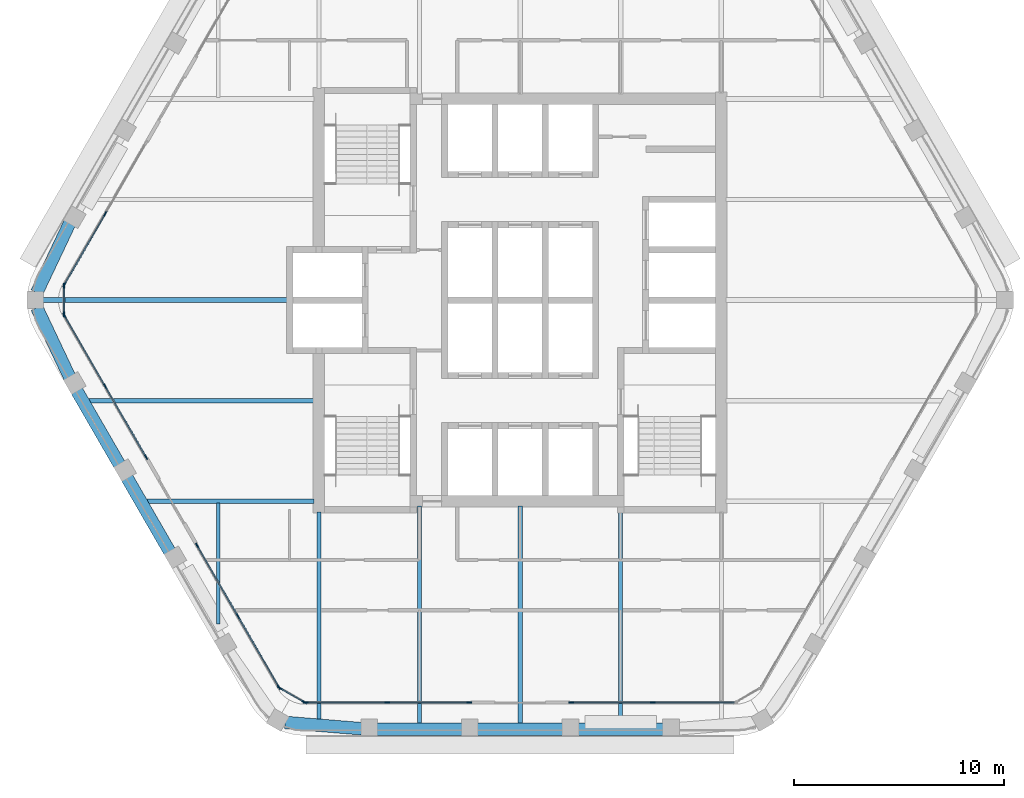
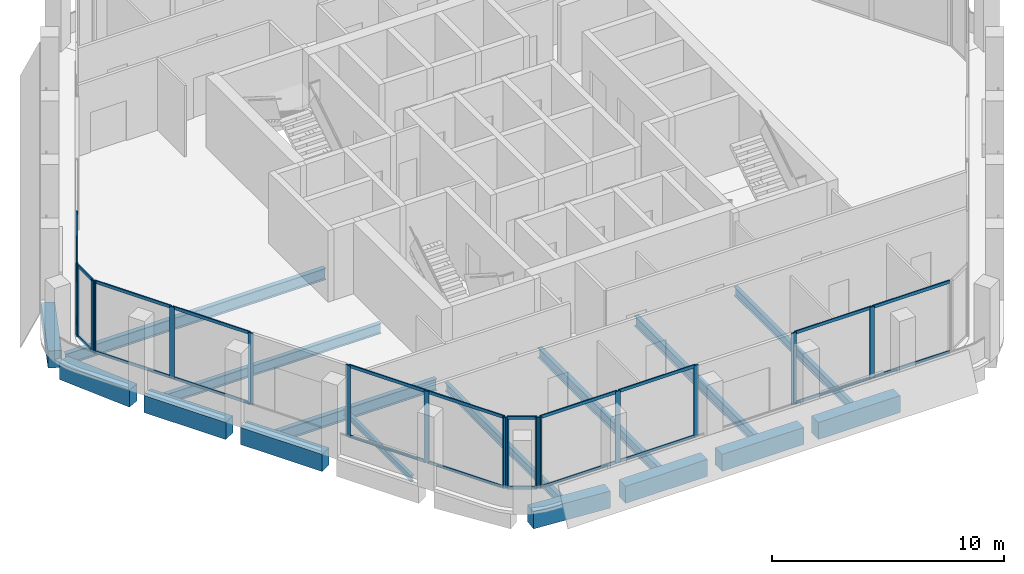
# One storey, part 2 of 14: 39 members, 16 beams, 7 elements without a shape of their own.
"""IFC4 building model written with IfcOpenShell, lengths in metres."""

from ifc_helpers import new_model, si_unit, direction, frame, origin, origin_2d, place, context, subcontext, project, spatial, rectangle, i_section, extrude, material, material_profile, profile_set, type_object, element, aggregate, save


model = new_model("IFC4")

# Units and contexts
model_context = context("Model", 3, precision=1e-05, world=origin(), true_north=direction((0.0, 1.0)))
body_context = subcontext(model_context, "Body", "Model", "MODEL_VIEW")
ifc_project = project(units=[si_unit("LENGTHUNIT", "METRE"), si_unit("AREAUNIT", "SQUARE_METRE"), si_unit("VOLUMEUNIT", "CUBIC_METRE"), si_unit("PLANEANGLEUNIT", "RADIAN"), si_unit("MASSUNIT", "GRAM", prefix="KILO")], contexts=[model_context])

# Site, building, storey
site_placement = place(None, origin())
site = spatial("IfcSite", under=ifc_project, at=site_placement, CompositionType="ELEMENT")
building_placement = place(site_placement, origin())
building = spatial("IfcBuilding", under=site, at=building_placement, Name="Kolab Exchange Tower", CompositionType="ELEMENT")
storey_placement = place(building_placement, frame((0.0, 0.0, 246.199951171875)))
storey = spatial("IfcBuildingStorey", under=building, at=storey_placement, Name="L54", CompositionType="ELEMENT", Elevation=246.199951171875)

# Beams
ifc_material_1 = material(Name="Steel S355", Category="steel")
ifc_material_profile_1 = material_profile(ifc_material_1, i_section(OverallWidth=0.1650390625, OverallDepth=0.31005859375, WebThickness=0.005859375, FlangeThickness=0.009765625, at=origin_2d()), Name="W310X39")
ifc_profile_set_1 = profile_set([ifc_material_profile_1], Name="Steel S355")
beam_type_1 = type_object("IfcBeamType", Name="FLOOR BEAM W310X39", PredefinedType="BEAM", material=ifc_profile_set_1)
beam_1_placement = place(storey_placement, frame((-14.39990234375, -15.4677734375, -0.304931640625), z_axis=(0.0, 1.0, 0.0), x_axis=(-1.0, 0.0, 0.0)))
element("IfcBeam", 1, at=beam_1_placement, inside=storey, type_object=beam_type_1, Name="beam/L54/fr/003", PredefinedType="BEAM", context=body_context, shape_type="SweptSolid", body=[
    extrude(i_section(OverallWidth=0.1650390625, OverallDepth=0.31005859375, WebThickness=0.005859375, FlangeThickness=0.009765625, at=origin_2d()), origin(), (0.0, 0.0, 1.0), 5.793701171875),
])
ifc_material_profile_2 = material_profile(ifc_material_1, i_section(OverallWidth=0.18994140625, OverallDepth=0.45703125, WebThickness=0.009033203125, FlangeThickness=0.014404296875, at=origin_2d()), Name="W460X74")
ifc_profile_set_2 = profile_set([ifc_material_profile_2], Name="Steel S355")
beam_type_2 = type_object("IfcBeamType", Name="FLOOR BEAM W460X74", PredefinedType="BEAM", material=ifc_profile_set_2)
beam_2_placement = place(storey_placement, frame((-9.60009765625, -20.027099609375, -0.37841796875), z_axis=(0.0, 1.0, 0.0), x_axis=(-1.0, 0.0, 0.0)))
element("IfcBeam", 2, at=beam_2_placement, inside=storey, type_object=beam_type_2, Name="beam/L54/fr/005", PredefinedType="BEAM", context=body_context, shape_type="SweptSolid", body=[
    extrude(i_section(OverallWidth=0.18994140625, OverallDepth=0.45703125, WebThickness=0.009033203125, FlangeThickness=0.014404296875, at=origin_2d()), origin(), (0.0, 0.0, 1.0), 9.9169921875),
])
beam_3_placement = place(storey_placement, frame((4.800048828125, -20.224609375, -0.37841796875), z_axis=(0.0, 1.0, 0.0), x_axis=(-1.0, 0.0, 0.0)))
element("IfcBeam", 3, at=beam_3_placement, inside=storey, type_object=beam_type_2, Name="beam/L54/fr/011", PredefinedType="BEAM", context=body_context, shape_type="SweptSolid", body=[
    extrude(i_section(OverallWidth=0.18994140625, OverallDepth=0.45703125, WebThickness=0.009033203125, FlangeThickness=0.014404296875, at=origin_2d()), origin(), (0.0, 0.0, 1.0), 10.114501953125),
])
ifc_material_profile_3 = material_profile(ifc_material_1, i_section(OverallWidth=0.208984375, OverallDepth=0.532958984375, WebThickness=0.01025390625, FlangeThickness=0.015625, at=origin_2d()), Name="W530X92")
ifc_profile_set_3 = profile_set([ifc_material_profile_3], Name="Steel S355")
beam_type_3 = type_object("IfcBeamType", Name="FLOOR BEAM W530X92", PredefinedType="BEAM", material=ifc_profile_set_3)
beam_4_placement = place(storey_placement, frame((-20.575927734375, -4.800048828125, -0.41650390625), z_axis=(1.0, 0.0, 0.0), x_axis=(0.0, 1.0, 0.0)))
element("IfcBeam", 4, at=beam_4_placement, inside=storey, type_object=beam_type_3, Name="beam/L54/fr/001", PredefinedType="BEAM", context=body_context, shape_type="SweptSolid", body=[
    extrude(i_section(OverallWidth=0.208984375, OverallDepth=0.532958984375, WebThickness=0.01025390625, FlangeThickness=0.015625, at=origin_2d()), origin(), (0.0, 0.0, 1.0), 10.740966796875),
])
for number, where, z_axis, x_axis, name in (
    (5, (-4.800048828125, -20.224609375, -0.41650390625), (0.0, 1.0, 0.0), (-1.0, 0.0, 0.0), "beam/L54/fr/007"),
    (6, (0.0, -20.224609375, -0.41650390625), (0.0, 1.0, 0.0), (-1.0, 0.0, 0.0), "beam/L54/fr/009"),
):
    element("IfcBeam", number, at=place(storey_placement, frame(where, z_axis=z_axis, x_axis=x_axis)), inside=storey, type_object=beam_type_3, Name=name, PredefinedType="BEAM", context=body_context, shape_type="SweptSolid", body=[
        extrude(i_section(OverallWidth=0.208984375, OverallDepth=0.532958984375, WebThickness=0.01025390625, FlangeThickness=0.015625, at=origin_2d()), origin(), (0.0, 0.0, 1.0), 10.3896484375),
    ])
ifc_material_profile_4 = material_profile(ifc_material_1, i_section(OverallWidth=0.22802734375, OverallDepth=0.60791015625, WebThickness=0.01123046875, FlangeThickness=0.017333984375, at=origin_2d()), Name="W610X113")
ifc_profile_set_4 = profile_set([ifc_material_profile_4], Name="Steel S355")
beam_type_4 = type_object("IfcBeamType", Name="FLOOR BEAM W610X113", PredefinedType="BEAM", material=ifc_profile_set_4)
beam_5_placement = place(storey_placement, frame((-22.77587890625, 0.0, -0.453857421875), z_axis=(1.0, 0.0, 0.0), x_axis=(0.0, 1.0, 0.0)))
element("IfcBeam", 7, at=beam_5_placement, inside=storey, type_object=beam_type_4, Name="beam/L54/fr/000", PredefinedType="BEAM", context=body_context, shape_type="SweptSolid", body=[
    extrude(i_section(OverallWidth=0.22802734375, OverallDepth=0.60791015625, WebThickness=0.01123046875, FlangeThickness=0.017333984375, at=origin_2d()), origin(), (0.0, 0.0, 1.0), 12.94091796875),
])
ifc_material_profile_5 = material_profile(ifc_material_1, i_section(OverallWidth=0.22802734375, OverallDepth=0.60791015625, WebThickness=0.01123046875, FlangeThickness=0.017333984375, at=origin_2d()), Name="W610X113")
ifc_profile_set_5 = profile_set([ifc_material_profile_5], Name="Steel S355")
beam_type_5 = type_object("IfcBeamType", Name="FLOOR GIRDER W610X113", PredefinedType="BEAM", material=ifc_profile_set_5)
beam_6_placement = place(storey_placement, frame((-17.8046875, -9.60009765625, -0.453857421875), z_axis=(1.0, 0.0, 0.0), x_axis=(0.0, 1.0, 0.0)))
element("IfcBeam", 8, at=beam_6_placement, inside=storey, type_object=beam_type_5, Name="beam/L54/gd/000", PredefinedType="BEAM", context=body_context, shape_type="SweptSolid", body=[
    extrude(i_section(OverallWidth=0.22802734375, OverallDepth=0.60791015625, WebThickness=0.01123046875, FlangeThickness=0.017333984375, at=origin_2d()), origin(), (0.0, 0.0, 1.0), 7.9697265625),
])
ifc_material_2 = material(Name="Concrete C50/60", Category="concrete")
ifc_material_profile_6 = material_profile(ifc_material_2, rectangle(XDim=0.60009765625, YDim=0.89990234375, at=origin_2d()), Name="RC600X900")
ifc_profile_set_6 = profile_set([ifc_material_profile_6], Name="Concrete C50/60")
beam_type_6 = type_object("IfcBeamType", Name="SPANDREL BEAM 600X900 C50/60", PredefinedType="BEAM", material=ifc_profile_set_6)
for number, where, z_axis, x_axis, name in (
    (9, (6.840087890625, -20.484619140625, -0.599853515625), (-1.0, 0.0, 0.0), (0.0, -1.0, 0.0), "beam/L54/sp/F4-02"),
    (10, (2.0400390625, -20.484619140625, -0.599853515625), (-1.0, 0.0, 0.0), (0.0, -1.0, 0.0), "beam/L54/sp/F4-03"),
    (11, (-2.760009765625, -20.484619140625, -0.599853515625), (-1.0, 0.0, 0.0), (0.0, -1.0, 0.0), "beam/L54/sp/F4-04"),
):
    element("IfcBeam", number, at=place(storey_placement, frame(where, z_axis=z_axis, x_axis=x_axis)), inside=storey, type_object=beam_type_6, Name=name, PredefinedType="BEAM", context=body_context, shape_type="SweptSolid", body=[
        extrude(rectangle(XDim=0.60009765625, YDim=0.89990234375, at=origin_2d()), origin(), (0.0, 0.0, 1.0), 4.080078125),
    ])
beam_7_placement = place(storey_placement, frame((-7.56005859375, -20.455078125, -0.599853515625), z_axis=(-0.996666751878, 0.081580547323, 0.0), x_axis=(-0.081580547323, -0.996666751878, 0.0)))
element("IfcBeam", 12, at=beam_7_placement, inside=storey, type_object=beam_type_6, Name="beam/L54/sp/F4-05", PredefinedType="BEAM", context=body_context, shape_type="SweptSolid", body=[
    extrude(rectangle(XDim=0.60009765625, YDim=0.89990234375, at=origin_2d()), origin(), (0.0, 0.0, 1.0), 3.6689453125),
])
for number, where, z_axis, x_axis, name in (
    (13, (-16.72021484375, -12.009033203125, -0.599853515625), (-0.500000428765, 0.866025156237, 0.0), (-0.866025156237, -0.500000428765, 0.0), "beam/L54/sp/F5-03"),
    (14, (-19.1201171875, -7.85205078125, -0.599853515625), (-0.500000428765, 0.866025156237, 0.0), (-0.866025156237, -0.500000428765, 0.0), "beam/L54/sp/F5-04"),
):
    element("IfcBeam", number, at=place(storey_placement, frame(where, z_axis=z_axis, x_axis=x_axis)), inside=storey, type_object=beam_type_6, Name=name, PredefinedType="BEAM", context=body_context, shape_type="SweptSolid", body=[
        extrude(rectangle(XDim=0.60009765625, YDim=0.89990234375, at=origin_2d()), origin(), (0.0, 0.0, 1.0), 4.080078125),
    ])
for number, where, z_axis, x_axis, name in (
    (15, (-21.49462890625, -3.68017578125, -0.599853515625), (-0.427677251998, 0.903931506323, 0.0), (-0.903931506323, -0.427677251998, 0.0), "beam/L54/sp/F5-05"),
    (16, (-23.063720703125, 0.36376953125, -0.599853515625), (0.427677251998, 0.903931506323, 0.0), (-0.903931506323, 0.427677251998, 0.0), "beam/L54/sp/F6-01"),
):
    element("IfcBeam", number, at=place(storey_placement, frame(where, z_axis=z_axis, x_axis=x_axis)), inside=storey, type_object=beam_type_6, Name=name, PredefinedType="BEAM", context=body_context, shape_type="SweptSolid", body=[
        extrude(rectangle(XDim=0.60009765625, YDim=0.89990234375, at=origin_2d()), origin(), (0.0, 0.0, 1.0), 3.6689453125),
    ])

# Curtain wall, members
ifc_material_3 = material(Name="Aluminium EN AW-6063 T6", Category="aluminium")
curtain_wall_type = type_object("IfcCurtainWallType", Name="UNITISED HIGH ZONE CURTAIN WALL", PredefinedType="NOTDEFINED", material=ifc_material_3)
curtain_wall_1_placement = place(storey_placement, origin())
curtain_wall_1 = element("IfcCurtainWall", 17, at=curtain_wall_1_placement, inside=storey, type_object=curtain_wall_type, Name="cw/L54/F4-1", PredefinedType="NOTDEFINED")
ifc_material_profile_7 = material_profile(ifc_material_3, rectangle(XDim=0.06005859375, YDim=0.239990234375, at=origin_2d()), Name="RECT 60X240")
ifc_profile_set_7 = profile_set([ifc_material_profile_7], Name="Aluminium EN AW-6063 T6")
member_type_1 = type_object("IfcMemberType", Name="UNITISED HIGH ZONE MULLION 60 X 240", PredefinedType="MULLION", material=ifc_profile_set_7)
member_1_placement = place(storey_placement, frame((6.333984375, -19.20458984375, 0.0), z_axis=(0.0, 0.0, 1.0), x_axis=(0.0, -1.0, 0.0)))
member_1 = element("IfcMember", 18, at=member_1_placement, type_object=member_type_1, Name="CW4 mullion 2", PredefinedType="MULLION", context=body_context, shape_type="SweptSolid", body=[
    extrude(rectangle(XDim=0.06005859375, YDim=0.239990234375, at=origin_2d()), origin(), (0.0, 0.0, 1.0), 3.75),
])
member_2_placement = place(storey_placement, frame((2.429931640625, -19.20458984375, 0.0), z_axis=(0.0, 0.0, 1.0), x_axis=(0.0, -1.0, 0.0)))
member_2 = element("IfcMember", 19, at=member_2_placement, type_object=member_type_1, Name="CW4 mullion 3", PredefinedType="MULLION", context=body_context, shape_type="SweptSolid", body=[
    extrude(rectangle(XDim=0.06005859375, YDim=0.239990234375, at=origin_2d()), origin(), (0.0, 0.0, 1.0), 3.75),
])

curtain_wall_2_placement = place(storey_placement, origin())
curtain_wall_2 = element("IfcCurtainWall", 20, at=curtain_wall_2_placement, inside=storey, type_object=curtain_wall_type, Name="cw/L54/F4-2", PredefinedType="NOTDEFINED")
member_3_placement = place(storey_placement, frame((-2.429931640625, -19.20458984375, 0.0), z_axis=(0.0, 0.0, 1.0), x_axis=(0.0, -1.0, 0.0)))
member_3 = element("IfcMember", 21, at=member_3_placement, type_object=member_type_1, Name="CW4 mullion 1", PredefinedType="MULLION", context=body_context, shape_type="SweptSolid", body=[
    extrude(rectangle(XDim=0.06005859375, YDim=0.239990234375, at=origin_2d()), origin(), (0.0, 0.0, 1.0), 3.75),
])
member_4_placement = place(storey_placement, frame((-6.333984375, -19.20458984375, 0.0), z_axis=(0.0, 0.0, 1.0), x_axis=(0.0, -1.0, 0.0)))
member_4 = element("IfcMember", 22, at=member_4_placement, type_object=member_type_1, Name="CW4 mullion 2", PredefinedType="MULLION", context=body_context, shape_type="SweptSolid", body=[
    extrude(rectangle(XDim=0.06005859375, YDim=0.239990234375, at=origin_2d()), origin(), (0.0, 0.0, 1.0), 3.75),
])
member_5_placement = place(storey_placement, frame((-10.238037109375, -19.20458984375, 0.0), z_axis=(0.0, 0.0, 1.0), x_axis=(0.0, -1.0, 0.0)))
member_5 = element("IfcMember", 23, at=member_5_placement, type_object=member_type_1, Name="CW4 mullion 3", PredefinedType="MULLION", context=body_context, shape_type="SweptSolid", body=[
    extrude(rectangle(XDim=0.06005859375, YDim=0.239990234375, at=origin_2d()), origin(), (0.0, 0.0, 1.0), 3.75),
])

curtain_wall_3_placement = place(storey_placement, origin())
curtain_wall_3 = element("IfcCurtainWall", 24, at=curtain_wall_3_placement, inside=storey, type_object=curtain_wall_type, Name="cw/L54/F5-1", PredefinedType="NOTDEFINED")
member_6_placement = place(storey_placement, frame((-11.5126953125, -18.46875, 0.0), z_axis=(0.0, 0.0, 1.0), x_axis=(-0.866025385493, -0.500000031681, 0.0)))
member_6 = element("IfcMember", 25, at=member_6_placement, type_object=member_type_1, Name="CW4 mullion 1", PredefinedType="MULLION", context=body_context, shape_type="SweptSolid", body=[
    extrude(rectangle(XDim=0.06005859375, YDim=0.239990234375, at=origin_2d()), origin(), (0.0, 0.0, 1.0), 3.75),
])
member_7_placement = place(storey_placement, frame((-13.464599609375, -15.087646484375, 0.0), z_axis=(0.0, 0.0, 1.0), x_axis=(-0.866025385493, -0.500000031681, 0.0)))
member_7 = element("IfcMember", 26, at=member_7_placement, type_object=member_type_1, Name="CW4 mullion 2", PredefinedType="MULLION", context=body_context, shape_type="SweptSolid", body=[
    extrude(rectangle(XDim=0.06005859375, YDim=0.239990234375, at=origin_2d()), origin(), (0.0, 0.0, 1.0), 3.75),
])
member_8_placement = place(storey_placement, frame((-15.416748046875, -11.706787109375, 0.0), z_axis=(0.0, 0.0, 1.0), x_axis=(-0.866025385493, -0.500000031681, 0.0)))
member_8 = element("IfcMember", 27, at=member_8_placement, type_object=member_type_1, Name="CW4 mullion 3", PredefinedType="MULLION", context=body_context, shape_type="SweptSolid", body=[
    extrude(rectangle(XDim=0.06005859375, YDim=0.239990234375, at=origin_2d()), origin(), (0.0, 0.0, 1.0), 3.75),
])

curtain_wall_4_placement = place(storey_placement, origin())
curtain_wall_4 = element("IfcCurtainWall", 28, at=curtain_wall_4_placement, inside=storey, type_object=curtain_wall_type, Name="cw/L54/F5-2", PredefinedType="NOTDEFINED")
member_9_placement = place(storey_placement, frame((-17.8466796875, -7.497802734375, 0.0), z_axis=(0.0, 0.0, 1.0), x_axis=(-0.866025440524, -0.499999936366, 0.0)))
member_9 = element("IfcMember", 29, at=member_9_placement, type_object=member_type_1, Name="CW4 mullion 1", PredefinedType="MULLION", context=body_context, shape_type="SweptSolid", body=[
    extrude(rectangle(XDim=0.06005859375, YDim=0.239990234375, at=origin_2d()), origin(), (0.0, 0.0, 1.0), 3.75),
])
member_10_placement = place(storey_placement, frame((-19.798583984375, -4.116943359375, 0.0), z_axis=(0.0, 0.0, 1.0), x_axis=(-0.866025440524, -0.499999936366, 0.0)))
member_10 = element("IfcMember", 30, at=member_10_placement, type_object=member_type_1, Name="CW4 mullion 2", PredefinedType="MULLION", context=body_context, shape_type="SweptSolid", body=[
    extrude(rectangle(XDim=0.06005859375, YDim=0.239990234375, at=origin_2d()), origin(), (0.0, 0.0, 1.0), 3.75),
])
member_11_placement = place(storey_placement, frame((-21.750732421875, -0.736083984375, 0.0), z_axis=(0.0, 0.0, 1.0), x_axis=(-0.866025440524, -0.499999936366, 0.0)))
member_11 = element("IfcMember", 31, at=member_11_placement, type_object=member_type_1, Name="CW4 mullion 3", PredefinedType="MULLION", context=body_context, shape_type="SweptSolid", body=[
    extrude(rectangle(XDim=0.06005859375, YDim=0.239990234375, at=origin_2d()), origin(), (0.0, 0.0, 1.0), 3.75),
])

curtain_wall_5_placement = place(storey_placement, origin())
curtain_wall_5 = element("IfcCurtainWall", 32, at=curtain_wall_5_placement, inside=storey, type_object=curtain_wall_type, Name="cw/L54/F6-1", PredefinedType="NOTDEFINED")
member_12_placement = place(storey_placement, frame((-21.750732421875, 0.736083984375, 0.0), z_axis=(0.0, 0.0, 1.0), x_axis=(-0.866025440524, 0.499999936366, 0.0)))
member_12 = element("IfcMember", 33, at=member_12_placement, type_object=member_type_1, Name="CW4 mullion 1", PredefinedType="MULLION", context=body_context, shape_type="SweptSolid", body=[
    extrude(rectangle(XDim=0.06005859375, YDim=0.239990234375, at=origin_2d()), origin(), (0.0, 0.0, 1.0), 3.75),
])
member_13_placement = place(storey_placement, frame((-19.798583984375, 4.116943359375, 0.0), z_axis=(0.0, 0.0, 1.0), x_axis=(-0.866025440524, 0.499999936366, 0.0)))
member_13 = element("IfcMember", 34, at=member_13_placement, type_object=member_type_1, Name="CW4 mullion 2", PredefinedType="MULLION", context=body_context, shape_type="SweptSolid", body=[
    extrude(rectangle(XDim=0.06005859375, YDim=0.239990234375, at=origin_2d()), origin(), (0.0, 0.0, 1.0), 3.75),
])

curtain_wall_6_placement = place(storey_placement, origin())
curtain_wall_6 = element("IfcCurtainWall", 35, at=curtain_wall_6_placement, inside=storey, type_object=curtain_wall_type, Name="cw/L54/F4F5-corner", PredefinedType="NOTDEFINED")
member_14_placement = place(storey_placement, frame((-10.2939453125, -19.189697265625, 0.0), z_axis=(0.0, 0.0, 1.0), x_axis=(-0.50000002237, -0.866025390869, 0.0)))
member_14 = element("IfcMember", 36, at=member_14_placement, type_object=member_type_1, Name="CW4 mullion 1", PredefinedType="MULLION", context=body_context, shape_type="SweptSolid", body=[
    extrude(rectangle(XDim=0.06005859375, YDim=0.239990234375, at=origin_2d()), origin(), (0.0, 0.0, 1.0), 3.75),
])
member_15_placement = place(storey_placement, frame((-11.4716796875, -18.509521484375, 0.0), z_axis=(0.0, 0.0, 1.0), x_axis=(-0.50000002237, -0.866025390869, 0.0)))
member_15 = element("IfcMember", 37, at=member_15_placement, type_object=member_type_1, Name="CW4 mullion 2", PredefinedType="MULLION", context=body_context, shape_type="SweptSolid", body=[
    extrude(rectangle(XDim=0.06005859375, YDim=0.239990234375, at=origin_2d()), origin(), (0.0, 0.0, 1.0), 3.75),
])

curtain_wall_7_placement = place(storey_placement, origin())
curtain_wall_7 = element("IfcCurtainWall", 38, at=curtain_wall_7_placement, inside=storey, type_object=curtain_wall_type, Name="cw/L54/F5F6-corner", PredefinedType="NOTDEFINED")
member_16_placement = place(storey_placement, frame((-21.765625, -0.679931640625, 0.0), z_axis=(0.0, 0.0, 1.0), x_axis=(-1.0, 0.0, 0.0)))
member_16 = element("IfcMember", 39, at=member_16_placement, type_object=member_type_1, Name="CW4 mullion 1", PredefinedType="MULLION", context=body_context, shape_type="SweptSolid", body=[
    extrude(rectangle(XDim=0.06005859375, YDim=0.239990234375, at=origin_2d()), origin(), (0.0, 0.0, 1.0), 3.75),
])
member_17_placement = place(storey_placement, frame((-21.765625, 0.679931640625, 0.0), z_axis=(0.0, 0.0, 1.0), x_axis=(-1.0, 0.0, 0.0)))
member_17 = element("IfcMember", 40, at=member_17_placement, type_object=member_type_1, Name="CW4 mullion 2", PredefinedType="MULLION", context=body_context, shape_type="SweptSolid", body=[
    extrude(rectangle(XDim=0.06005859375, YDim=0.239990234375, at=origin_2d()), origin(), (0.0, 0.0, 1.0), 3.75),
])

# Member
ifc_material_profile_8 = material_profile(ifc_material_3, rectangle(XDim=0.06005859375, YDim=0.159912109375, at=origin_2d()), Name="RECT 60X160")
ifc_profile_set_8 = profile_set([ifc_material_profile_8], Name="Aluminium EN AW-6063 T6")
member_type_2 = type_object("IfcMemberType", Name="UNITISED HIGH ZONE TRANSOM 60 X 160", PredefinedType="USERDEFINED", material=ifc_profile_set_8)
member_18_placement = place(storey_placement, frame((10.2080078125, -19.20458984375, 0.030029296875), z_axis=(-1.0, 0.0, 0.0), x_axis=(0.0, -1.0, 0.0)))
member_18 = element("IfcMember", 41, at=member_18_placement, type_object=member_type_2, Name="CW4 transom 1.1", ObjectType="TRANSOM", PredefinedType="USERDEFINED", context=body_context, shape_type="SweptSolid", body=[
    extrude(rectangle(XDim=0.06005859375, YDim=0.159912109375, at=origin_2d()), origin(), (0.0, 0.0, 1.0), 3.843994140625),
])

member_19_placement = place(storey_placement, frame((10.2080078125, -19.20458984375, 3.719970703125), z_axis=(-1.0, 0.0, 0.0), x_axis=(0.0, -1.0, 0.0)))
member_19 = element("IfcMember", 42, at=member_19_placement, type_object=member_type_2, Name="CW4 transom 1.2", ObjectType="TRANSOM", PredefinedType="USERDEFINED", context=body_context, shape_type="SweptSolid", body=[
    extrude(rectangle(XDim=0.06005859375, YDim=0.159912109375, at=origin_2d()), origin(), (0.0, 0.0, 1.0), 3.843994140625),
])

member_20_placement = place(storey_placement, frame((6.303955078125, -19.20458984375, 0.030029296875), z_axis=(-1.0, 0.0, 0.0), x_axis=(0.0, -1.0, 0.0)))
member_20 = element("IfcMember", 43, at=member_20_placement, type_object=member_type_2, Name="CW4 transom 2.1", ObjectType="TRANSOM", PredefinedType="USERDEFINED", context=body_context, shape_type="SweptSolid", body=[
    extrude(rectangle(XDim=0.06005859375, YDim=0.159912109375, at=origin_2d()), origin(), (0.0, 0.0, 1.0), 3.843994140625),
])

member_21_placement = place(storey_placement, frame((6.303955078125, -19.20458984375, 3.719970703125), z_axis=(-1.0, 0.0, 0.0), x_axis=(0.0, -1.0, 0.0)))
member_21 = element("IfcMember", 44, at=member_21_placement, type_object=member_type_2, Name="CW4 transom 2.2", ObjectType="TRANSOM", PredefinedType="USERDEFINED", context=body_context, shape_type="SweptSolid", body=[
    extrude(rectangle(XDim=0.06005859375, YDim=0.159912109375, at=origin_2d()), origin(), (0.0, 0.0, 1.0), 3.843994140625),
])

aggregate(curtain_wall_1, [member_1, member_2, member_18, member_19, member_20, member_21])

member_22_placement = place(storey_placement, frame((-2.4599609375, -19.20458984375, 0.030029296875), z_axis=(-1.0, 0.0, 0.0), x_axis=(0.0, -1.0, 0.0)))
member_22 = element("IfcMember", 45, at=member_22_placement, type_object=member_type_2, Name="CW4 transom 1.1", ObjectType="TRANSOM", PredefinedType="USERDEFINED", context=body_context, shape_type="SweptSolid", body=[
    extrude(rectangle(XDim=0.06005859375, YDim=0.159912109375, at=origin_2d()), origin(), (0.0, 0.0, 1.0), 3.843994140625),
])

member_23_placement = place(storey_placement, frame((-2.4599609375, -19.20458984375, 3.719970703125), z_axis=(-1.0, 0.0, 0.0), x_axis=(0.0, -1.0, 0.0)))
member_23 = element("IfcMember", 46, at=member_23_placement, type_object=member_type_2, Name="CW4 transom 1.2", ObjectType="TRANSOM", PredefinedType="USERDEFINED", context=body_context, shape_type="SweptSolid", body=[
    extrude(rectangle(XDim=0.06005859375, YDim=0.159912109375, at=origin_2d()), origin(), (0.0, 0.0, 1.0), 3.843994140625),
])

member_24_placement = place(storey_placement, frame((-6.364013671875, -19.20458984375, 0.030029296875), z_axis=(-1.0, 0.0, 0.0), x_axis=(0.0, -1.0, 0.0)))
member_24 = element("IfcMember", 47, at=member_24_placement, type_object=member_type_2, Name="CW4 transom 2.1", ObjectType="TRANSOM", PredefinedType="USERDEFINED", context=body_context, shape_type="SweptSolid", body=[
    extrude(rectangle(XDim=0.06005859375, YDim=0.159912109375, at=origin_2d()), origin(), (0.0, 0.0, 1.0), 3.843994140625),
])

member_25_placement = place(storey_placement, frame((-6.364013671875, -19.20458984375, 3.719970703125), z_axis=(-1.0, 0.0, 0.0), x_axis=(0.0, -1.0, 0.0)))
member_25 = element("IfcMember", 48, at=member_25_placement, type_object=member_type_2, Name="CW4 transom 2.2", ObjectType="TRANSOM", PredefinedType="USERDEFINED", context=body_context, shape_type="SweptSolid", body=[
    extrude(rectangle(XDim=0.06005859375, YDim=0.159912109375, at=origin_2d()), origin(), (0.0, 0.0, 1.0), 3.843994140625),
])

aggregate(curtain_wall_2, [member_3, member_4, member_5, member_22, member_23, member_24, member_25])

member_26_placement = place(storey_placement, frame((-11.527587890625, -18.442626953125, 0.030029296875), z_axis=(-0.500039492609, 0.866002601515, 0.0), x_axis=(-0.866002601515, -0.500039492609, 0.0)))
member_26 = element("IfcMember", 49, at=member_26_placement, type_object=member_type_2, Name="CW4 transom 1.1", ObjectType="TRANSOM", PredefinedType="USERDEFINED", context=body_context, shape_type="SweptSolid", body=[
    extrude(rectangle(XDim=0.06005859375, YDim=0.159912109375, at=origin_2d()), origin(), (0.0, 0.0, 1.0), 3.843994140625),
])

member_27_placement = place(storey_placement, frame((-11.527587890625, -18.442626953125, 3.719970703125), z_axis=(-0.500039492609, 0.866002601515, 0.0), x_axis=(-0.866002601515, -0.500039492609, 0.0)))
member_27 = element("IfcMember", 50, at=member_27_placement, type_object=member_type_2, Name="CW4 transom 1.2", ObjectType="TRANSOM", PredefinedType="USERDEFINED", context=body_context, shape_type="SweptSolid", body=[
    extrude(rectangle(XDim=0.06005859375, YDim=0.159912109375, at=origin_2d()), origin(), (0.0, 0.0, 1.0), 3.843994140625),
])

member_28_placement = place(storey_placement, frame((-13.479736328125, -15.061767578125, 0.030029296875), z_axis=(-0.499964356602, 0.866045981532, 0.0), x_axis=(-0.866045981532, -0.499964356602, 0.0)))
member_28 = element("IfcMember", 51, at=member_28_placement, type_object=member_type_2, Name="CW4 transom 2.1", ObjectType="TRANSOM", PredefinedType="USERDEFINED", context=body_context, shape_type="SweptSolid", body=[
    extrude(rectangle(XDim=0.06005859375, YDim=0.159912109375, at=origin_2d()), origin(), (0.0, 0.0, 1.0), 3.843994140625),
])

member_29_placement = place(storey_placement, frame((-13.479736328125, -15.061767578125, 3.719970703125), z_axis=(-0.499964356602, 0.866045981532, 0.0), x_axis=(-0.866045981532, -0.499964356602, 0.0)))
member_29 = element("IfcMember", 52, at=member_29_placement, type_object=member_type_2, Name="CW4 transom 2.2", ObjectType="TRANSOM", PredefinedType="USERDEFINED", context=body_context, shape_type="SweptSolid", body=[
    extrude(rectangle(XDim=0.06005859375, YDim=0.159912109375, at=origin_2d()), origin(), (0.0, 0.0, 1.0), 3.843994140625),
])

aggregate(curtain_wall_3, [member_6, member_7, member_8, member_26, member_27, member_28, member_29])

member_30_placement = place(storey_placement, frame((-17.861572265625, -7.471923828125, 0.030029296875), z_axis=(-0.500011990396, 0.866018481016, 0.0), x_axis=(-0.866018481016, -0.500011990396, 0.0)))
member_30 = element("IfcMember", 53, at=member_30_placement, type_object=member_type_2, Name="CW4 transom 1.1", ObjectType="TRANSOM", PredefinedType="USERDEFINED", context=body_context, shape_type="SweptSolid", body=[
    extrude(rectangle(XDim=0.06005859375, YDim=0.159912109375, at=origin_2d()), origin(), (0.0, 0.0, 1.0), 3.84423828125),
])

member_31_placement = place(storey_placement, frame((-17.861572265625, -7.471923828125, 3.719970703125), z_axis=(-0.500011990396, 0.866018481016, 0.0), x_axis=(-0.866018481016, -0.500011990396, 0.0)))
member_31 = element("IfcMember", 54, at=member_31_placement, type_object=member_type_2, Name="CW4 transom 1.2", ObjectType="TRANSOM", PredefinedType="USERDEFINED", context=body_context, shape_type="SweptSolid", body=[
    extrude(rectangle(XDim=0.06005859375, YDim=0.159912109375, at=origin_2d()), origin(), (0.0, 0.0, 1.0), 3.84423828125),
])

member_32_placement = place(storey_placement, frame((-19.813720703125, -4.0908203125, 0.030029296875), z_axis=(-0.499991857942, 0.866030104553, 0.0), x_axis=(-0.866030104553, -0.499991857942, 0.0)))
member_32 = element("IfcMember", 55, at=member_32_placement, type_object=member_type_2, Name="CW4 transom 2.1", ObjectType="TRANSOM", PredefinedType="USERDEFINED", context=body_context, shape_type="SweptSolid", body=[
    extrude(rectangle(XDim=0.06005859375, YDim=0.159912109375, at=origin_2d()), origin(), (0.0, 0.0, 1.0), 3.84375),
])

member_33_placement = place(storey_placement, frame((-19.813720703125, -4.0908203125, 3.719970703125), z_axis=(-0.499991857942, 0.866030104553, 0.0), x_axis=(-0.866030104553, -0.499991857942, 0.0)))
member_33 = element("IfcMember", 56, at=member_33_placement, type_object=member_type_2, Name="CW4 transom 2.2", ObjectType="TRANSOM", PredefinedType="USERDEFINED", context=body_context, shape_type="SweptSolid", body=[
    extrude(rectangle(XDim=0.06005859375, YDim=0.159912109375, at=origin_2d()), origin(), (0.0, 0.0, 1.0), 3.84375),
])

aggregate(curtain_wall_4, [member_9, member_10, member_11, member_30, member_31, member_32, member_33])

member_34_placement = place(storey_placement, frame((-21.735595703125, 0.761962890625, 0.030029296875), z_axis=(0.499991857942, 0.866030104553, 0.0), x_axis=(-0.866030104553, 0.499991857942, 0.0)))
member_34 = element("IfcMember", 57, at=member_34_placement, type_object=member_type_2, Name="CW4 transom 1.1", ObjectType="TRANSOM", PredefinedType="USERDEFINED", context=body_context, shape_type="SweptSolid", body=[
    extrude(rectangle(XDim=0.06005859375, YDim=0.159912109375, at=origin_2d()), origin(), (0.0, 0.0, 1.0), 3.84375),
])

member_35_placement = place(storey_placement, frame((-21.735595703125, 0.761962890625, 3.719970703125), z_axis=(0.499991857942, 0.866030104553, 0.0), x_axis=(-0.866030104553, 0.499991857942, 0.0)))
member_35 = element("IfcMember", 58, at=member_35_placement, type_object=member_type_2, Name="CW4 transom 1.2", ObjectType="TRANSOM", PredefinedType="USERDEFINED", context=body_context, shape_type="SweptSolid", body=[
    extrude(rectangle(XDim=0.06005859375, YDim=0.159912109375, at=origin_2d()), origin(), (0.0, 0.0, 1.0), 3.84375),
])

aggregate(curtain_wall_5, [member_12, member_13, member_34, member_35])

member_36_placement = place(storey_placement, frame((-10.31982421875, -19.174560546875, 0.030029296875), z_axis=(-0.866085525409, 0.49989585183, 0.0), x_axis=(-0.49989585183, -0.866085525409, 0.0)))
member_36 = element("IfcMember", 59, at=member_36_placement, type_object=member_type_2, Name="CW4 transom 1.1", ObjectType="TRANSOM", PredefinedType="USERDEFINED", context=body_context, shape_type="SweptSolid", body=[
    extrude(rectangle(XDim=0.06005859375, YDim=0.159912109375, at=origin_2d()), origin(), (0.0, 0.0, 1.0), 1.300048828125),
])

member_37_placement = place(storey_placement, frame((-10.31982421875, -19.174560546875, 3.719970703125), z_axis=(-0.866085525409, 0.49989585183, 0.0), x_axis=(-0.49989585183, -0.866085525409, 0.0)))
member_37 = element("IfcMember", 60, at=member_37_placement, type_object=member_type_2, Name="CW4 transom 1.2", ObjectType="TRANSOM", PredefinedType="USERDEFINED", context=body_context, shape_type="SweptSolid", body=[
    extrude(rectangle(XDim=0.06005859375, YDim=0.159912109375, at=origin_2d()), origin(), (0.0, 0.0, 1.0), 1.300048828125),
])

aggregate(curtain_wall_6, [member_14, member_15, member_36, member_37])

member_38_placement = place(storey_placement, frame((-21.765625, -0.64990234375, 0.030029296875), z_axis=(0.0, 1.0, 0.0), x_axis=(-1.0, 0.0, 0.0)))
member_38 = element("IfcMember", 61, at=member_38_placement, type_object=member_type_2, Name="CW4 transom 1.1", ObjectType="TRANSOM", PredefinedType="USERDEFINED", context=body_context, shape_type="SweptSolid", body=[
    extrude(rectangle(XDim=0.06005859375, YDim=0.159912109375, at=origin_2d()), origin(), (0.0, 0.0, 1.0), 1.2998046875),
])

member_39_placement = place(storey_placement, frame((-21.765625, -0.64990234375, 3.719970703125), z_axis=(0.0, 1.0, 0.0), x_axis=(-1.0, 0.0, 0.0)))
member_39 = element("IfcMember", 62, at=member_39_placement, type_object=member_type_2, Name="CW4 transom 1.2", ObjectType="TRANSOM", PredefinedType="USERDEFINED", context=body_context, shape_type="SweptSolid", body=[
    extrude(rectangle(XDim=0.06005859375, YDim=0.159912109375, at=origin_2d()), origin(), (0.0, 0.0, 1.0), 1.2998046875),
])

aggregate(curtain_wall_7, [member_16, member_17, member_38, member_39])

save(model, "model.ifc")
